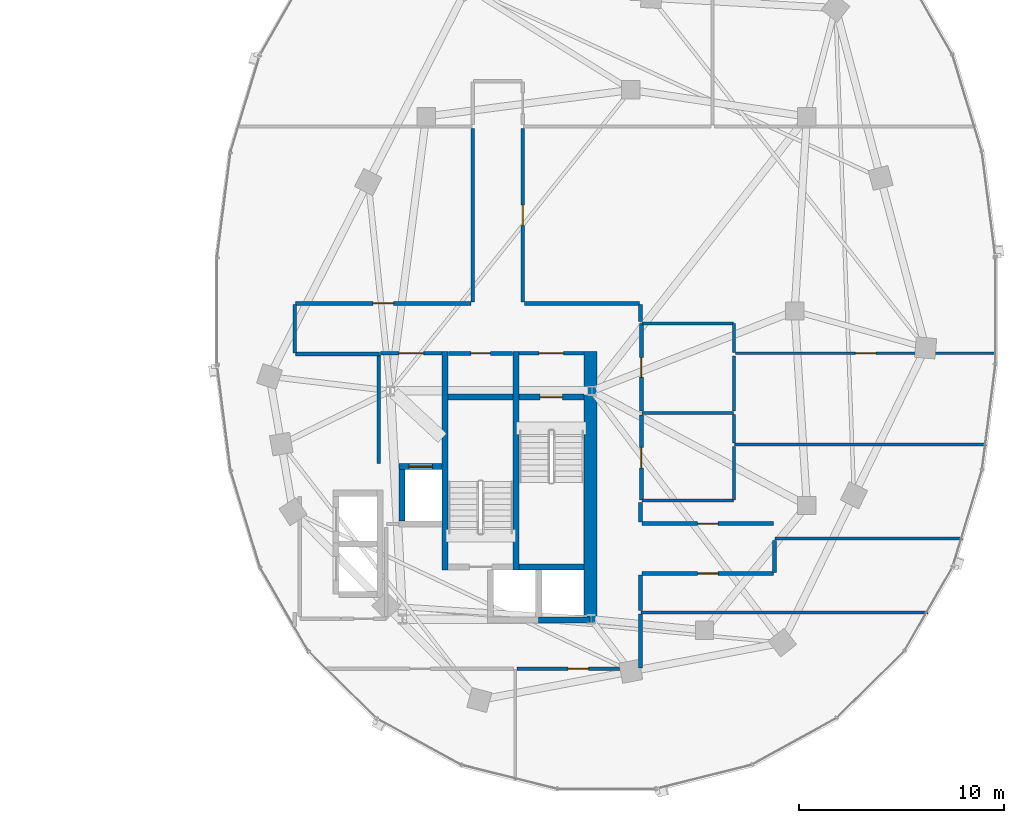
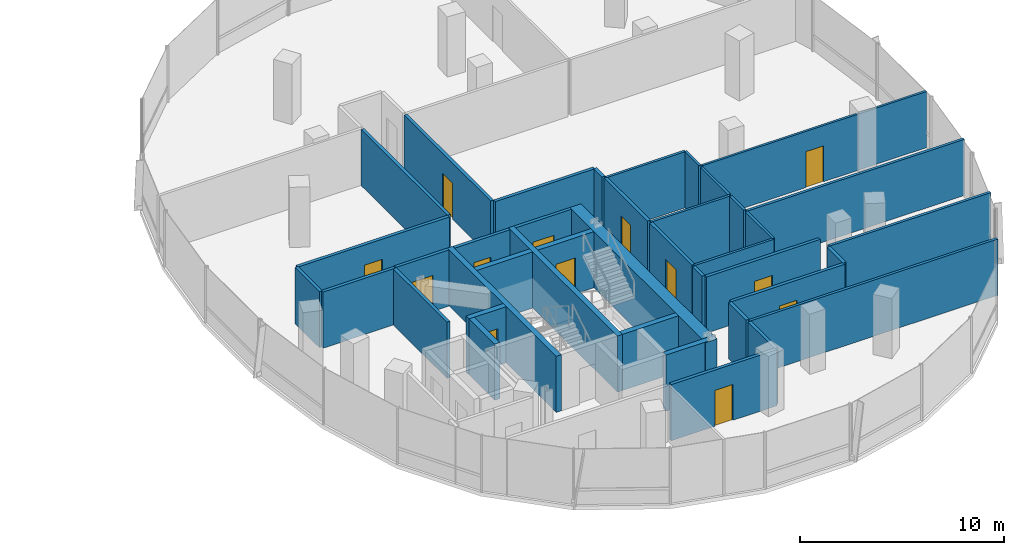
# One storey, part 14 of 22: 40 walls, 13 doors, 13 openings.
"""IFC4 building model written with IfcOpenShell, lengths in metres."""

from ifc_helpers import new_model, si_unit, direction, frame, frame_2d, origin, place, context, subcontext, project, spatial, rectangle, extrude, material, layer, layer_set, type_object, element, fill, save


model = new_model("IFC4")

# Units and contexts
model_context = context("Model", 3, precision=1e-05, world=origin(), true_north=direction((0.0, 1.0)))
body_context = subcontext(model_context, "Body", "Model", "MODEL_VIEW")
ifc_project = project(units=[si_unit("LENGTHUNIT", "METRE"), si_unit("AREAUNIT", "SQUARE_METRE"), si_unit("VOLUMEUNIT", "CUBIC_METRE"), si_unit("PLANEANGLEUNIT", "RADIAN"), si_unit("MASSUNIT", "GRAM", prefix="KILO"), si_unit("THERMODYNAMICTEMPERATUREUNIT", "KELVIN"), si_unit("POWERUNIT", "WATT")], contexts=[model_context])

# Site, building, storey
site_placement = place(None, origin())
site = spatial("IfcSite", under=ifc_project, at=site_placement, CompositionType="ELEMENT")
building_placement = place(site_placement, origin())
building = spatial("IfcBuilding", under=site, at=building_placement, Name="Cundina Bronze Exchange", CompositionType="ELEMENT")
storey_placement = place(building_placement, frame((0.0, 0.0, 154.800048828125)))
storey = spatial("IfcBuildingStorey", under=building, at=storey_placement, Name="L40", CompositionType="ELEMENT", Elevation=154.800048828125)

# Wall
ifc_material_1 = material(Name="Gypsum Fireboard Partition EI120")
ifc_layer_1 = layer(ifc_material_1, 0.179931640625, Name="Gypsum Fireboard Partition EI120")
ifc_layer_set_1 = layer_set([ifc_layer_1], Name="Gypsum Fireboard Partition EI120")
wall_type_1 = type_object("IfcWallType", Name="WL-COR-180", PredefinedType="PARTITIONING", material=ifc_layer_set_1)
wall_1_placement = place(storey_placement, frame((20.889892578125, -7.449951171875, 0.0), z_axis=(0.0, 0.0, 1.0), x_axis=(0.0, 1.0, 0.0)))
element("IfcWall", 1, at=wall_1_placement, inside=storey, type_object=wall_type_1, Name="L40 E Firefighting Lobby Side Wall", PredefinedType="PARTITIONING", context=body_context, shape_type="SweptSolid", body=[
    extrude(rectangle(XDim=5.300048828125, YDim=0.179931640625, at=frame_2d((2.64990234375, 0.0))), origin(), (0.0, 0.0, 1.0), 3.35986328125),
])

# Wall, opening, door
wall_2_placement = place(storey_placement, frame((20.97998046875, -2.06005859375, 0.0), z_axis=(0.0, 0.0, 1.0), x_axis=(1.0, 0.0, 0.0)))
wall_2 = element("IfcWall", 2, at=wall_2_placement, inside=storey, type_object=wall_type_1, Name="L40 E Firefighting Lobby Exit Wall", PredefinedType="PARTITIONING", context=body_context, shape_type="SweptSolid", body=[
    extrude(rectangle(XDim=3.0, YDim=0.179931640625, at=frame_2d((1.5, 0.0))), origin(), (0.0, 0.0, 1.0), 3.35986328125),
])
opening_1_placement = place(wall_2_placement, frame((0.89990234375, 0.0, 0.0)))
opening_1 = element("IfcOpeningElement", 3, at=opening_1_placement, cuts=wall_2, Name="Opening DF-01", PredefinedType="OPENING", context=body_context, shape_type="SweptSolid", body=[
    extrude(rectangle(XDim=1.199951171875, YDim=2.14990234375, at=frame_2d((0.60009765625, 1.074951171875))), frame((0.0, 0.099853515625, 0.0), z_axis=(0.0, -1.0, 0.0), x_axis=(1.0, 0.0, 0.0)), (0.0, 0.0, 1.0), 0.199951171875),
])
ifc_material_2 = material(Name="Steel ASTM A36 Painted", Category="steel")
door_type_1 = type_object("IfcDoorType", Name="DR-FFL-1200", OperationType="NOTDEFINED", PredefinedType="DOOR", material=ifc_material_2)
door_1_placement = place(opening_1_placement, origin())
door_1 = element("IfcDoor", 4, at=door_1_placement, inside=storey, type_object=door_type_1, Name="L40 E Firefighting Lobby Door", OperationType="SINGLE_SWING_LEFT", OverallHeight=2.14990234375, OverallWidth=1.199951171875, PredefinedType="DOOR", context=body_context, shape_type="SweptSolid", body=[
    extrude(rectangle(XDim=1.199951171875, YDim=2.14990234375, at=frame_2d((0.60009765625, 1.074951171875))), frame((0.0, 0.02490234375, 0.0), z_axis=(0.0, -1.0, 0.0), x_axis=(1.0, 0.0, 0.0)), (0.0, 0.0, 1.0), 0.050048828125),
])
fill(opening_1, door_1)

wall_3_placement = place(storey_placement, frame((27.739990234375, -2.06005859375, 0.0), z_axis=(0.0, 0.0, 1.0), x_axis=(1.0, 0.0, 0.0)))
wall_3 = element("IfcWall", 5, at=wall_3_placement, inside=storey, type_object=wall_type_1, Name="L40 E Stair Vestibule Exit Wall", PredefinedType="PARTITIONING", context=body_context, shape_type="SweptSolid", body=[
    extrude(rectangle(XDim=3.159912109375, YDim=0.179931640625, at=frame_2d((1.580078125, 0.0))), origin(), (0.0, 0.0, 1.0), 3.35986328125),
])
opening_2_placement = place(wall_3_placement, frame((0.97998046875, 0.0, 0.0)))
opening_2 = element("IfcOpeningElement", 6, at=opening_2_placement, cuts=wall_3, Name="Opening DF-01", PredefinedType="OPENING", context=body_context, shape_type="SweptSolid", body=[
    extrude(rectangle(XDim=1.199951171875, YDim=2.14990234375, at=frame_2d((0.60009765625, 1.074951171875))), frame((0.0, 0.099853515625, 0.0), z_axis=(0.0, -1.0, 0.0), x_axis=(1.0, 0.0, 0.0)), (0.0, 0.0, 1.0), 0.199951171875),
])
door_2_placement = place(opening_2_placement, origin())
door_2 = element("IfcDoor", 7, at=door_2_placement, inside=storey, type_object=door_type_1, Name="L40 E Stair Vestibule Door", OperationType="SINGLE_SWING_RIGHT", OverallHeight=2.14990234375, OverallWidth=1.199951171875, PredefinedType="DOOR", context=body_context, shape_type="SweptSolid", body=[
    extrude(rectangle(XDim=1.199951171875, YDim=2.14990234375, at=frame_2d((0.60009765625, 1.074951171875))), frame((0.0, 0.02490234375, 0.0), z_axis=(0.0, -1.0, 0.0), x_axis=(1.0, 0.0, 0.0)), (0.0, 0.0, 1.0), 0.050048828125),
])
fill(opening_2, door_2)

wall_4_placement = place(storey_placement, frame((24.300048828125, -2.070068359375, 0.0), z_axis=(0.0, 0.0, 1.0), x_axis=(1.0, 0.0, 0.0)))
wall_4 = element("IfcWall", 8, at=wall_4_placement, inside=storey, type_object=wall_type_1, Name="L40 Interior Partition 048", PredefinedType="PARTITIONING", context=body_context, shape_type="SweptSolid", body=[
    extrude(rectangle(XDim=3.119873046875, YDim=0.179931640625, at=frame_2d((1.56005859375, 0.0))), origin(), (0.0, 0.0, 1.0), 3.35986328125),
])
opening_3_placement = place(wall_4_placement, frame((1.0849609375, 0.0, 0.0)))
opening_3 = element("IfcOpeningElement", 9, at=opening_3_placement, cuts=wall_4, Name="Opening DW-01", PredefinedType="OPENING", context=body_context, shape_type="SweptSolid", body=[
    extrude(rectangle(XDim=0.949951171875, YDim=2.10009765625, at=frame_2d((0.47509765625, 1.050048828125))), frame((0.0, 0.099853515625, 0.0), z_axis=(0.0, -1.0, 0.0), x_axis=(1.0, 0.0, 0.0)), (0.0, 0.0, 1.0), 0.199951171875),
])
ifc_material_3 = material(Name="Solid Andean Oak Timber Grade A", Category="wood")
door_type_2 = type_object("IfcDoorType", Name="DR-WC-950", OperationType="NOTDEFINED", PredefinedType="DOOR", material=ifc_material_3)
door_3_placement = place(opening_3_placement, origin())
door_3 = element("IfcDoor", 10, at=door_3_placement, inside=storey, type_object=door_type_2, Name="L40 Interior Door 048", OperationType="SINGLE_SWING_RIGHT", OverallHeight=2.10009765625, OverallWidth=0.949951171875, PredefinedType="DOOR", context=body_context, shape_type="SweptSolid", body=[
    extrude(rectangle(XDim=0.949951171875, YDim=2.10009765625, at=frame_2d((0.47509765625, 1.050048828125))), frame((0.0, 0.02490234375, 0.0), z_axis=(0.0, -1.0, 0.0), x_axis=(1.0, 0.0, 0.0)), (0.0, 0.0, 1.0), 0.050048828125),
])
fill(opening_3, door_3)

wall_5_placement = place(storey_placement, frame((33.719970703125, -4.8798828125, 0.0), z_axis=(0.0, 0.0, 1.0), x_axis=(0.0, 1.0, 0.0)))
wall_5 = element("IfcWall", 11, at=wall_5_placement, inside=storey, type_object=wall_type_1, Name="L40 Interior Partition 056", PredefinedType="PARTITIONING", context=body_context, shape_type="SweptSolid", body=[
    extrude(rectangle(XDim=4.259765625, YDim=0.179931640625, at=frame_2d((2.1298828125, 0.0))), origin(), (0.0, 0.0, 1.0), 3.35986328125),
])
opening_4_placement = place(wall_5_placement, frame((1.655029296875, 0.0, 0.0)))
opening_4 = element("IfcOpeningElement", 12, at=opening_4_placement, cuts=wall_5, Name="Opening DW-01", PredefinedType="OPENING", context=body_context, shape_type="SweptSolid", body=[
    extrude(rectangle(XDim=0.949951171875, YDim=2.10009765625, at=frame_2d((0.47509765625, 1.050048828125))), frame((0.0, 0.099853515625, 0.0), z_axis=(0.0, -1.0, 0.0), x_axis=(1.0, 0.0, 0.0)), (0.0, 0.0, 1.0), 0.199951171875),
])
door_4_placement = place(opening_4_placement, origin())
door_4 = element("IfcDoor", 13, at=door_4_placement, inside=storey, type_object=door_type_2, Name="L40 Interior Door 056", OperationType="SINGLE_SWING_RIGHT", OverallHeight=2.10009765625, OverallWidth=0.949951171875, PredefinedType="DOOR", context=body_context, shape_type="SweptSolid", body=[
    extrude(rectangle(XDim=0.949951171875, YDim=2.10009765625, at=frame_2d((0.47509765625, 1.050048828125))), frame((0.0, 0.02490234375, 0.0), z_axis=(0.0, -1.0, 0.0), x_axis=(1.0, 0.0, 0.0)), (0.0, 0.0, 1.0), 0.050048828125),
])
fill(opening_4, door_4)

wall_6_placement = place(storey_placement, frame((33.719970703125, -9.239990234375, 0.0), z_axis=(0.0, 0.0, 1.0), x_axis=(0.0, 1.0, 0.0)))
wall_6 = element("IfcWall", 14, at=wall_6_placement, inside=storey, type_object=wall_type_1, Name="L40 Interior Partition 057", PredefinedType="PARTITIONING", context=body_context, shape_type="SweptSolid", body=[
    extrude(rectangle(XDim=4.159912109375, YDim=0.179931640625, at=frame_2d((2.080078125, 0.0))), origin(), (0.0, 0.0, 1.0), 3.35986328125),
])
opening_5_placement = place(wall_6_placement, frame((1.580078125, 0.0, 0.0)))
opening_5 = element("IfcOpeningElement", 15, at=opening_5_placement, cuts=wall_6, Name="Opening DO-01", PredefinedType="OPENING", context=body_context, shape_type="SweptSolid", body=[
    extrude(rectangle(XDim=1.0, YDim=2.14990234375, at=frame_2d((0.5, 1.074951171875))), frame((0.0, 0.099853515625, 0.0), z_axis=(0.0, -1.0, 0.0), x_axis=(1.0, 0.0, 0.0)), (0.0, 0.0, 1.0), 0.199951171875),
])
door_type_3 = type_object("IfcDoorType", Name="DR-OFF-1000", OperationType="NOTDEFINED", PredefinedType="DOOR", material=ifc_material_3)
door_5_placement = place(opening_5_placement, origin())
door_5 = element("IfcDoor", 16, at=door_5_placement, inside=storey, type_object=door_type_3, Name="L40 Interior Door 057", OperationType="SINGLE_SWING_RIGHT", OverallHeight=2.14990234375, OverallWidth=1.0, PredefinedType="DOOR", context=body_context, shape_type="SweptSolid", body=[
    extrude(rectangle(XDim=1.0, YDim=2.14990234375, at=frame_2d((0.5, 1.074951171875))), frame((0.0, 0.02490234375, 0.0), z_axis=(0.0, -1.0, 0.0), x_axis=(1.0, 0.0, 0.0)), (0.0, 0.0, 1.0), 0.050048828125),
])
fill(opening_5, door_5)

wall_7_placement = place(storey_placement, frame((27.64990234375, -17.469970703125, 0.0), z_axis=(0.0, 0.0, 1.0), x_axis=(1.0, 0.0, 0.0)))
wall_7 = element("IfcWall", 17, at=wall_7_placement, inside=storey, type_object=wall_type_1, Name="L40 Interior Partition 066", PredefinedType="PARTITIONING", context=body_context, shape_type="SweptSolid", body=[
    extrude(rectangle(XDim=5.978515625, YDim=0.179931640625, at=frame_2d((2.9892578125, 0.0))), origin(), (0.0, 0.0, 1.0), 3.35986328125),
])
opening_6_placement = place(wall_7_placement, frame((2.4892578125, 0.0, 0.0)))
opening_6 = element("IfcOpeningElement", 18, at=opening_6_placement, cuts=wall_7, Name="Opening DO-01", PredefinedType="OPENING", context=body_context, shape_type="SweptSolid", body=[
    extrude(rectangle(XDim=1.0, YDim=2.14990234375, at=frame_2d((0.5, 1.074951171875))), frame((0.0, 0.099853515625, 0.0), z_axis=(0.0, -1.0, 0.0), x_axis=(1.0, 0.0, 0.0)), (0.0, 0.0, 1.0), 0.199951171875),
])
door_6_placement = place(opening_6_placement, origin())
door_6 = element("IfcDoor", 19, at=door_6_placement, inside=storey, type_object=door_type_3, Name="L40 Interior Door 066", OperationType="SINGLE_SWING_LEFT", OverallHeight=2.14990234375, OverallWidth=1.0, PredefinedType="DOOR", context=body_context, shape_type="SweptSolid", body=[
    extrude(rectangle(XDim=1.0, YDim=2.14990234375, at=frame_2d((0.5, 1.074951171875))), frame((0.0, 0.02490234375, 0.0), z_axis=(0.0, -1.0, 0.0), x_axis=(1.0, 0.0, 0.0)), (0.0, 0.0, 1.0), 0.050048828125),
])
fill(opening_6, door_6)

# Wall
wall_8_placement = place(storey_placement, frame((33.669921875, -17.428466796875, 0.0), z_axis=(0.0, 0.0, 1.0), x_axis=(0.0, 1.0, 0.0)))
element("IfcWall", 20, at=wall_8_placement, inside=storey, type_object=wall_type_1, Name="L40 Interior Partition 067", PredefinedType="PARTITIONING", context=body_context, shape_type="SweptSolid", body=[
    extrude(rectangle(XDim=2.618408203125, YDim=0.179931640625, at=frame_2d((1.30908203125, 0.0))), origin(), (0.0, 0.0, 1.0), 3.35986328125),
])

# Wall, opening, door
wall_9_placement = place(storey_placement, frame((33.75, -12.820068359375, 0.0), z_axis=(0.0, 0.0, 1.0), x_axis=(1.0, 0.0, 0.0)))
wall_9 = element("IfcWall", 21, at=wall_9_placement, inside=storey, type_object=wall_type_1, Name="L40 Interior Partition 068", PredefinedType="PARTITIONING", context=body_context, shape_type="SweptSolid", body=[
    extrude(rectangle(XDim=6.428466796875, YDim=0.179931640625, at=frame_2d((3.21435546875, 0.0))), origin(), (0.0, 0.0, 1.0), 3.35986328125),
])
opening_7_placement = place(wall_9_placement, frame((2.714111328125, 0.0, 0.0)))
opening_7 = element("IfcOpeningElement", 22, at=opening_7_placement, cuts=wall_9, Name="Opening DO-01", PredefinedType="OPENING", context=body_context, shape_type="SweptSolid", body=[
    extrude(rectangle(XDim=1.0, YDim=2.14990234375, at=frame_2d((0.5, 1.074951171875))), frame((0.0, 0.099853515625, 0.0), z_axis=(0.0, -1.0, 0.0), x_axis=(1.0, 0.0, 0.0)), (0.0, 0.0, 1.0), 0.199951171875),
])
door_7_placement = place(opening_7_placement, origin())
door_7 = element("IfcDoor", 23, at=door_7_placement, inside=storey, type_object=door_type_3, Name="L40 Interior Door 068", OperationType="SINGLE_SWING_LEFT", OverallHeight=2.14990234375, OverallWidth=1.0, PredefinedType="DOOR", context=body_context, shape_type="SweptSolid", body=[
    extrude(rectangle(XDim=1.0, YDim=2.14990234375, at=frame_2d((0.5, 1.074951171875))), frame((0.0, 0.02490234375, 0.0), z_axis=(0.0, -1.0, 0.0), x_axis=(1.0, 0.0, 0.0)), (0.0, 0.0, 1.0), 0.050048828125),
])
fill(opening_7, door_7)

# Walls
wall_10_placement = place(storey_placement, frame((33.669921875, -14.6298828125, 0.0), z_axis=(0.0, 0.0, 1.0), x_axis=(0.0, 1.0, 0.0)))
element("IfcWall", 24, at=wall_10_placement, inside=storey, type_object=wall_type_1, Name="L40 Interior Partition 069", PredefinedType="PARTITIONING", context=body_context, shape_type="SweptSolid", body=[
    extrude(rectangle(XDim=1.72998046875, YDim=0.179931640625, at=frame_2d((0.864990234375, 0.0))), origin(), (0.0, 0.0, 1.0), 3.35986328125),
])
wall_11_placement = place(storey_placement, frame((40.219970703125, -12.778564453125, 0.0), z_axis=(0.0, 0.0, 1.0), x_axis=(0.0, 1.0, 0.0)))
element("IfcWall", 25, at=wall_11_placement, inside=storey, type_object=wall_type_1, Name="L40 Interior Partition 070", PredefinedType="PARTITIONING", context=body_context, shape_type="SweptSolid", body=[
    extrude(rectangle(XDim=1.568603515625, YDim=0.179931640625, at=frame_2d((0.7841796875, 0.0))), origin(), (0.0, 0.0, 1.0), 3.35986328125),
])

# Wall, opening, door
wall_12_placement = place(storey_placement, frame((40.178466796875, -10.3798828125, 0.0), z_axis=(0.0, 0.0, 1.0), x_axis=(-1.0, 0.0, 0.0)))
wall_12 = element("IfcWall", 26, at=wall_12_placement, inside=storey, type_object=wall_type_1, Name="L40 Interior Partition 071", PredefinedType="PARTITIONING", context=body_context, shape_type="SweptSolid", body=[
    extrude(rectangle(XDim=6.428466796875, YDim=0.179931640625, at=frame_2d((3.21435546875, 0.0))), origin(), (0.0, 0.0, 1.0), 3.35986328125),
])
opening_8_placement = place(wall_12_placement, frame((2.714111328125, 0.0, 0.0)))
opening_8 = element("IfcOpeningElement", 27, at=opening_8_placement, cuts=wall_12, Name="Opening DO-01", PredefinedType="OPENING", context=body_context, shape_type="SweptSolid", body=[
    extrude(rectangle(XDim=1.0, YDim=2.14990234375, at=frame_2d((0.5, 1.074951171875))), frame((0.0, 0.099853515625, 0.0), z_axis=(0.0, -1.0, 0.0), x_axis=(1.0, 0.0, 0.0)), (0.0, 0.0, 1.0), 0.199951171875),
])
door_8_placement = place(opening_8_placement, origin())
door_8 = element("IfcDoor", 28, at=door_8_placement, inside=storey, type_object=door_type_3, Name="L40 Interior Door 071", OperationType="SINGLE_SWING_RIGHT", OverallHeight=2.14990234375, OverallWidth=1.0, PredefinedType="DOOR", context=body_context, shape_type="SweptSolid", body=[
    extrude(rectangle(XDim=1.0, YDim=2.14990234375, at=frame_2d((0.5, 1.074951171875))), frame((0.0, 0.02490234375, 0.0), z_axis=(0.0, -1.0, 0.0), x_axis=(1.0, 0.0, 0.0)), (0.0, 0.0, 1.0), 0.050048828125),
])
fill(opening_8, door_8)

# Wall
wall_13_placement = place(storey_placement, frame((33.669921875, -10.300048828125, 0.0), z_axis=(0.0, 0.0, 1.0), x_axis=(0.0, 1.0, 0.0)))
element("IfcWall", 29, at=wall_13_placement, inside=storey, type_object=wall_type_1, Name="L40 Interior Partition 072", PredefinedType="PARTITIONING", context=body_context, shape_type="SweptSolid", body=[
    extrude(rectangle(XDim=0.94873046875, YDim=0.179931640625, at=frame_2d((0.474365234375, 0.0))), origin(), (0.0, 0.0, 1.0), 3.35986328125),
])

# Wall, opening, door
wall_14_placement = place(storey_placement, frame((25.39990234375, 0.3701171875, 0.0), z_axis=(0.0, 0.0, 1.0), x_axis=(-1.0, 0.0, 0.0)))
wall_14 = element("IfcWall", 30, at=wall_14_placement, inside=storey, type_object=wall_type_1, Name="L40 Interior Partition 073", PredefinedType="PARTITIONING", context=body_context, shape_type="SweptSolid", body=[
    extrude(rectangle(XDim=8.578369140625, YDim=0.179931640625, at=frame_2d((4.2890625, 0.0))), origin(), (0.0, 0.0, 1.0), 3.35986328125),
])
opening_9_placement = place(wall_14_placement, frame((3.789306640625, 0.0, 0.0)))
opening_9 = element("IfcOpeningElement", 31, at=opening_9_placement, cuts=wall_14, Name="Opening DO-01", PredefinedType="OPENING", context=body_context, shape_type="SweptSolid", body=[
    extrude(rectangle(XDim=1.0, YDim=2.14990234375, at=frame_2d((0.5, 1.074951171875))), frame((0.0, 0.099853515625, 0.0), z_axis=(0.0, -1.0, 0.0), x_axis=(1.0, 0.0, 0.0)), (0.0, 0.0, 1.0), 0.199951171875),
])
door_9_placement = place(opening_9_placement, origin())
door_9 = element("IfcDoor", 32, at=door_9_placement, inside=storey, type_object=door_type_3, Name="L40 Interior Door 073", OperationType="SINGLE_SWING_RIGHT", OverallHeight=2.14990234375, OverallWidth=1.0, PredefinedType="DOOR", context=body_context, shape_type="SweptSolid", body=[
    extrude(rectangle(XDim=1.0, YDim=2.14990234375, at=frame_2d((0.5, 1.074951171875))), frame((0.0, 0.02490234375, 0.0), z_axis=(0.0, -1.0, 0.0), x_axis=(1.0, 0.0, 0.0)), (0.0, 0.0, 1.0), 0.050048828125),
])
fill(opening_9, door_9)

# Walls
wall_15_placement = place(storey_placement, frame((25.47998046875, 8.919921875, 0.0), z_axis=(0.0, 0.0, 1.0), x_axis=(0.0, -1.0, 0.0)))
element("IfcWall", 33, at=wall_15_placement, inside=storey, type_object=wall_type_1, Name="L40 Interior Partition 074", PredefinedType="PARTITIONING", context=body_context, shape_type="SweptSolid", body=[
    extrude(rectangle(XDim=8.469970703125, YDim=0.179931640625, at=frame_2d((4.23486328125, 0.0))), origin(), (0.0, 0.0, 1.0), 3.35986328125),
])
wall_16_placement = place(storey_placement, frame((16.821533203125, -2.10009765625, 0.0), z_axis=(0.0, 0.0, 1.0), x_axis=(1.0, 0.0, 0.0)))
element("IfcWall", 34, at=wall_16_placement, inside=storey, type_object=wall_type_1, Name="L40 Interior Partition 075", PredefinedType="PARTITIONING", context=body_context, shape_type="SweptSolid", body=[
    extrude(rectangle(XDim=4.098388671875, YDim=0.179931640625, at=frame_2d((2.04931640625, 0.0))), origin(), (0.0, 0.0, 1.0), 3.35986328125),
])
wall_17_placement = place(storey_placement, frame((16.780029296875, 0.32861328125, 0.0), z_axis=(0.0, 0.0, 1.0), x_axis=(0.0, -1.0, 0.0)))
element("IfcWall", 35, at=wall_17_placement, inside=storey, type_object=wall_type_1, Name="L40 Interior Partition 076", PredefinedType="PARTITIONING", context=body_context, shape_type="SweptSolid", body=[
    extrude(rectangle(XDim=2.38720703125, YDim=0.179931640625, at=frame_2d((1.193603515625, 0.0))), origin(), (0.0, 0.0, 1.0), 3.35986328125),
])

# Wall, opening, door
wall_18_placement = place(storey_placement, frame((27.919921875, 0.449951171875, 0.0), z_axis=(0.0, 0.0, 1.0), x_axis=(0.0, 1.0, 0.0)))
wall_18 = element("IfcWall", 36, at=wall_18_placement, inside=storey, type_object=wall_type_1, Name="L40 Interior Partition 078", PredefinedType="PARTITIONING", context=body_context, shape_type="SweptSolid", body=[
    extrude(rectangle(XDim=8.469970703125, YDim=0.179931640625, at=frame_2d((4.23486328125, 0.0))), origin(), (0.0, 0.0, 1.0), 3.35986328125),
])
opening_10_placement = place(wall_18_placement, frame((3.735107421875, 0.0, 0.0)))
opening_10 = element("IfcOpeningElement", 37, at=opening_10_placement, cuts=wall_18, Name="Opening DO-01", PredefinedType="OPENING", context=body_context, shape_type="SweptSolid", body=[
    extrude(rectangle(XDim=1.0, YDim=2.14990234375, at=frame_2d((0.5, 1.074951171875))), frame((0.0, 0.099853515625, 0.0), z_axis=(0.0, -1.0, 0.0), x_axis=(1.0, 0.0, 0.0)), (0.0, 0.0, 1.0), 0.199951171875),
])
door_10_placement = place(opening_10_placement, origin())
door_10 = element("IfcDoor", 38, at=door_10_placement, inside=storey, type_object=door_type_3, Name="L40 Interior Door 078", OperationType="SINGLE_SWING_RIGHT", OverallHeight=2.14990234375, OverallWidth=1.0, PredefinedType="DOOR", context=body_context, shape_type="SweptSolid", body=[
    extrude(rectangle(XDim=1.0, YDim=2.14990234375, at=frame_2d((0.5, 1.074951171875))), frame((0.0, 0.02490234375, 0.0), z_axis=(0.0, -1.0, 0.0), x_axis=(1.0, 0.0, 0.0)), (0.0, 0.0, 1.0), 0.050048828125),
])
fill(opening_10, door_10)

# Walls
wall_19_placement = place(storey_placement, frame((33.62841796875, 0.3701171875, 0.0), z_axis=(0.0, 0.0, 1.0), x_axis=(-1.0, 0.0, 0.0)))
element("IfcWall", 39, at=wall_19_placement, inside=storey, type_object=wall_type_1, Name="L40 Interior Partition 079", PredefinedType="PARTITIONING", context=body_context, shape_type="SweptSolid", body=[
    extrude(rectangle(XDim=5.62841796875, YDim=0.179931640625, at=frame_2d((2.814208984375, 0.0))), origin(), (0.0, 0.0, 1.0), 3.35986328125),
])
wall_20_placement = place(storey_placement, frame((33.669921875, -0.508544921875, 0.0), z_axis=(0.0, 0.0, 1.0), x_axis=(0.0, 1.0, 0.0)))
element("IfcWall", 40, at=wall_20_placement, inside=storey, type_object=wall_type_1, Name="L40 Interior Partition 080", PredefinedType="PARTITIONING", context=body_context, shape_type="SweptSolid", body=[
    extrude(rectangle(XDim=0.837158203125, YDim=0.179931640625, at=frame_2d((0.41845703125, 0.0))), origin(), (0.0, 0.0, 1.0), 3.35986328125),
])
ifc_material_4 = material(Name="Concrete C50/60", Category="concrete")
ifc_layer_2 = layer(ifc_material_4, 0.64990234375, Name="Concrete C50/60", Category="concrete")
ifc_layer_set_2 = layer_set([ifc_layer_2], Name="Concrete C50/60")
wall_type_2 = type_object("IfcWallType", Name="WL-CORE-650", PredefinedType="SHEAR", material=ifc_layer_set_2)
wall_21_placement = place(storey_placement, frame((31.22509765625, -15.300048828125, 0.0), z_axis=(0.0, 0.0, 1.0), x_axis=(0.0, 1.0, 0.0)))
element("IfcWall", 41, at=wall_21_placement, inside=storey, type_object=wall_type_2, Name="L40 E Primary Core Shear Spine Wall", PredefinedType="SHEAR", context=body_context, shape_type="SweptSolid", body=[
    extrude(rectangle(XDim=13.330078125, YDim=0.64990234375, at=frame_2d((6.6650390625, 0.0))), origin(), (0.0, 0.0, 1.0), 3.35986328125),
])

# Wall, opening, door
ifc_material_5 = material(Name="Gypsum Acoustic Partition EI60")
ifc_layer_3 = layer(ifc_material_5, 0.125, Name="Gypsum Acoustic Partition EI60")
ifc_layer_set_3 = layer_set([ifc_layer_3], Name="Gypsum Acoustic Partition EI60")
wall_type_3 = type_object("IfcWallType", Name="WL-OFF-125", PredefinedType="PARTITIONING", material=ifc_layer_set_3)
wall_22_placement = place(storey_placement, frame((38.320068359375, -2.070068359375, 0.0), z_axis=(0.0, 0.0, 1.0), x_axis=(1.0, 0.0, 0.0)))
wall_22 = element("IfcWall", 42, at=wall_22_placement, inside=storey, type_object=wall_type_3, Name="L40 Interior Partition 084", PredefinedType="PARTITIONING", context=body_context, shape_type="SweptSolid", body=[
    extrude(rectangle(XDim=12.701904296875, YDim=0.125, at=frame_2d((6.35107421875, 0.0))), origin(), (0.0, 0.0, 1.0), 3.35986328125),
])
opening_11_placement = place(wall_22_placement, frame((5.85107421875, 0.0, 0.0)))
opening_11 = element("IfcOpeningElement", 43, at=opening_11_placement, cuts=wall_22, Name="Opening DO-01", PredefinedType="OPENING", context=body_context, shape_type="SweptSolid", body=[
    extrude(rectangle(XDim=1.0, YDim=2.14990234375, at=frame_2d((0.5, 1.074951171875))), frame((0.0, 0.072509765625, 0.0), z_axis=(0.0, -1.0, 0.0), x_axis=(1.0, 0.0, 0.0)), (0.0, 0.0, 1.0), 0.14501953125),
])
door_11_placement = place(opening_11_placement, origin())
door_11 = element("IfcDoor", 44, at=door_11_placement, inside=storey, type_object=door_type_3, Name="L40 Interior Door 084", OperationType="SINGLE_SWING_LEFT", OverallHeight=2.14990234375, OverallWidth=1.0, PredefinedType="DOOR", context=body_context, shape_type="SweptSolid", body=[
    extrude(rectangle(XDim=1.0, YDim=2.14990234375, at=frame_2d((0.5, 1.074951171875))), frame((0.0, 0.02490234375, 0.0), z_axis=(0.0, -1.0, 0.0), x_axis=(1.0, 0.0, 0.0)), (0.0, 0.0, 1.0), 0.050048828125),
])
fill(opening_11, door_11)

# Walls
ifc_layer_4 = layer(ifc_material_4, 0.300048828125, Name="Concrete C50/60", Category="concrete")
ifc_layer_set_4 = layer_set([ifc_layer_4], Name="Concrete C50/60")
wall_type_4 = type_object("IfcWallType", Name="WL-SHFT-300", PredefinedType="SHEAR", material=ifc_layer_set_4)
for number, where, z_axis, x_axis, name in (
    (45, (27.590087890625, -12.64990234375, 0.0), (0.0, 0.0, 1.0), (0.0, 1.0, 0.0), "L40 E Stair Shaft Dividing Shear Wall"),
    (46, (24.1298828125, -12.64990234375, 0.0), (0.0, 0.0, 1.0), (0.0, 1.0, 0.0), "L40 E Stair 2 East Shear Wall"),
):
    element("IfcWall", number, at=place(storey_placement, frame(where, z_axis=z_axis, x_axis=x_axis)), inside=storey, type_object=wall_type_4, Name=name, PredefinedType="SHEAR", context=body_context, shape_type="SweptSolid", body=[
        extrude(rectangle(XDim=10.679931640625, YDim=0.300048828125, at=frame_2d((5.33984375, 0.0))), origin(), (0.0, 0.0, 1.0), 3.35986328125),
    ])

# Wall, opening, door
wall_23_placement = place(storey_placement, frame((27.739990234375, -4.199951171875, 0.0), z_axis=(0.0, 0.0, 1.0), x_axis=(1.0, 0.0, 0.0)))
wall_23 = element("IfcWall", 47, at=wall_23_placement, inside=storey, type_object=wall_type_4, Name="L40 Stair E1 Landing Wall", PredefinedType="SHEAR", context=body_context, shape_type="SweptSolid", body=[
    extrude(rectangle(XDim=3.159912109375, YDim=0.300048828125, at=frame_2d((1.580078125, 0.0))), origin(), (0.0, 0.0, 1.0), 3.35986328125),
])
opening_12_placement = place(wall_23_placement, frame((1.030029296875, 0.0, 0.0)))
opening_12 = element("IfcOpeningElement", 48, at=opening_12_placement, cuts=wall_23, Name="Opening DS-01", PredefinedType="OPENING", context=body_context, shape_type="SweptSolid", body=[
    extrude(rectangle(XDim=1.10009765625, YDim=2.14990234375, at=frame_2d((0.550048828125, 1.074951171875))), frame((0.0, 0.159912109375, 0.0), z_axis=(0.0, -1.0, 0.0), x_axis=(1.0, 0.0, 0.0)), (0.0, 0.0, 1.0), 0.320068359375),
])
door_type_4 = type_object("IfcDoorType", Name="DR-STR-1100", OperationType="NOTDEFINED", PredefinedType="DOOR", material=ifc_material_2)
door_12_placement = place(opening_12_placement, origin())
door_12 = element("IfcDoor", 49, at=door_12_placement, inside=storey, type_object=door_type_4, Name="L40 Smokeproof Stair E1 Door", OperationType="SINGLE_SWING_LEFT", OverallHeight=2.14990234375, OverallWidth=1.10009765625, PredefinedType="DOOR", context=body_context, shape_type="SweptSolid", body=[
    extrude(rectangle(XDim=1.10009765625, YDim=2.14990234375, at=frame_2d((0.550048828125, 1.074951171875))), frame((0.0, 0.02490234375, 0.0), z_axis=(0.0, -1.0, 0.0), x_axis=(1.0, 0.0, 0.0)), (0.0, 0.0, 1.0), 0.050048828125),
])
fill(opening_12, door_12)

# Walls
for number, where, z_axis, x_axis, name in (
    (50, (27.739990234375, -12.5, 0.0), (0.0, 0.0, 1.0), (1.0, 0.0, 0.0), "L40 Stair E1 Far Shaft Wall"),
    (51, (24.280029296875, -4.199951171875, 0.0), (0.0, 0.0, 1.0), (1.0, 0.0, 0.0), "L40 Stair E2 Far Shaft Wall"),
):
    element("IfcWall", number, at=place(storey_placement, frame(where, z_axis=z_axis, x_axis=x_axis)), inside=storey, type_object=wall_type_4, Name=name, PredefinedType="SHEAR", context=body_context, shape_type="SweptSolid", body=[
        extrude(rectangle(XDim=3.159912109375, YDim=0.300048828125, at=frame_2d((1.580078125, 0.0))), origin(), (0.0, 0.0, 1.0), 3.35986328125),
    ])

# Wall, opening, door
wall_24_placement = place(storey_placement, frame((21.8798828125, -7.60009765625, 0.0), z_axis=(0.0, 0.0, 1.0), x_axis=(1.0, 0.0, 0.0)))
wall_24 = element("IfcWall", 52, at=wall_24_placement, inside=storey, type_object=wall_type_4, Name="L40 FFL-E Hoistway Front Wall", PredefinedType="SHEAR", context=body_context, shape_type="SweptSolid", body=[
    extrude(rectangle(XDim=2.10009765625, YDim=0.300048828125, at=frame_2d((1.050048828125, 0.0))), origin(), (0.0, 0.0, 1.0), 3.35986328125),
])
opening_13_placement = place(wall_24_placement, frame((0.47509765625, 0.0, 0.0)))
opening_13 = element("IfcOpeningElement", 53, at=opening_13_placement, cuts=wall_24, Name="Opening LD-01", PredefinedType="OPENING", context=body_context, shape_type="SweptSolid", body=[
    extrude(rectangle(XDim=1.14990234375, YDim=2.199951171875, at=frame_2d((0.574951171875, 1.10009765625))), frame((0.0, 0.159912109375, 0.0), z_axis=(0.0, -1.0, 0.0), x_axis=(1.0, 0.0, 0.0)), (0.0, 0.0, 1.0), 0.320068359375),
])
door_type_5 = type_object("IfcDoorType", Name="DR-LND-1150", OperationType="NOTDEFINED", PredefinedType="TRAPDOOR", material=ifc_material_2)
door_13_placement = place(opening_13_placement, origin())
door_13 = element("IfcDoor", 54, at=door_13_placement, inside=storey, type_object=door_type_5, Name="L40 FFL-E Sliding Landing Door", OperationType="SLIDING_TO_LEFT", OverallHeight=2.199951171875, OverallWidth=1.14990234375, PredefinedType="TRAPDOOR", context=body_context, shape_type="SweptSolid", body=[
    extrude(rectangle(XDim=1.14990234375, YDim=2.199951171875, at=frame_2d((0.574951171875, 1.10009765625))), frame((0.0, 0.02490234375, 0.0), z_axis=(0.0, -1.0, 0.0), x_axis=(1.0, 0.0, 0.0)), (0.0, 0.0, 1.0), 0.050048828125),
])
fill(opening_13, door_13)

# Walls
for number, where, z_axis, x_axis, name in (
    (55, (22.030029296875, -10.25, 0.0), (0.0, 0.0, 1.0), (0.0, 1.0, 0.0), "L40 FFL-E Hoistway Side Wall"),
    (56, (28.699951171875, -15.10009765625, 0.0), (0.0, 0.0, 1.0), (1.0, 0.0, 0.0), "L40 PH-E1 Hoistway Front Wall"),
):
    element("IfcWall", number, at=place(storey_placement, frame(where, z_axis=z_axis, x_axis=x_axis)), inside=storey, type_object=wall_type_4, Name=name, PredefinedType="SHEAR", context=body_context, shape_type="SweptSolid", body=[
        extrude(rectangle(XDim=2.5, YDim=0.300048828125, at=frame_2d((1.25, 0.0))), origin(), (0.0, 0.0, 1.0), 3.35986328125),
    ])
ifc_layer_5 = layer(ifc_material_5, 0.14990234375, Name="Gypsum Acoustic Partition EI60")
ifc_layer_set_5 = layer_set([ifc_layer_5], Name="Gypsum Acoustic Partition EI60")
wall_type_5 = type_object("IfcWallType", Name="WL-TEN-150", PredefinedType="PARTITIONING", material=ifc_layer_set_5)
wall_25_placement = place(storey_placement, frame((38.27001953125, -6.52001953125, 0.0), z_axis=(0.0, 0.0, 1.0), x_axis=(1.0, 0.0, 0.0)))
element("IfcWall", 57, at=wall_25_placement, inside=storey, type_object=wall_type_5, Name="L40 Interior Partition 061", PredefinedType="PARTITIONING", context=body_context, shape_type="SweptSolid", body=[
    extrude(rectangle(XDim=12.307373046875, YDim=0.14990234375, at=frame_2d((6.15380859375, 0.0))), origin(), (0.0, 0.0, 1.0), 3.35986328125),
])
wall_26_placement = place(storey_placement, frame((40.25, -11.1201171875, 0.0), z_axis=(0.0, 0.0, 1.0), x_axis=(1.0, 0.0, 0.0)))
element("IfcWall", 58, at=wall_26_placement, inside=storey, type_object=wall_type_5, Name="L40 Interior Partition 062", PredefinedType="PARTITIONING", context=body_context, shape_type="SweptSolid", body=[
    extrude(rectangle(XDim=9.156005859375, YDim=0.14990234375, at=frame_2d((4.578125, 0.0))), origin(), (0.0, 0.0, 1.0), 3.35986328125),
])
wall_27_placement = place(storey_placement, frame((33.699951171875, -14.719970703125, 0.0), z_axis=(0.0, 0.0, 1.0), x_axis=(1.0, 0.0, 0.0)))
element("IfcWall", 59, at=wall_27_placement, inside=storey, type_object=wall_type_5, Name="L40 Interior Partition 063", PredefinedType="PARTITIONING", context=body_context, shape_type="SweptSolid", body=[
    extrude(rectangle(XDim=14.02294921875, YDim=0.14990234375, at=frame_2d((7.011474609375, 0.0))), origin(), (0.0, 0.0, 1.0), 3.35986328125),
])
ifc_material_6 = material(Name="Moisture-Resistant Masonry Block Grade M15", Category="masonry")
ifc_layer_6 = layer(ifc_material_6, 0.139892578125, Name="Moisture-Resistant Masonry Block Grade M15", Category="masonry")
ifc_layer_set_6 = layer_set([ifc_layer_6], Name="Moisture-Resistant Masonry Block Grade M15")
wall_type_6 = type_object("IfcWallType", Name="WL-WET-140", PredefinedType="PARTITIONING", material=ifc_layer_set_6)
wall_28_placement = place(storey_placement, frame((38.239990234375, -9.239990234375, 0.0), z_axis=(0.0, 0.0, 1.0), x_axis=(0.0, 1.0, 0.0)))
element("IfcWall", 60, at=wall_28_placement, inside=storey, type_object=wall_type_6, Name="L40 Interior Partition 049", PredefinedType="PARTITIONING", context=body_context, shape_type="SweptSolid", body=[
    extrude(rectangle(XDim=2.635009765625, YDim=0.139892578125, at=frame_2d((1.3173828125, 0.0))), origin(), (0.0, 0.0, 1.0), 3.35986328125),
])
wall_29_placement = place(storey_placement, frame((38.239990234375, -6.43505859375, 0.0), z_axis=(0.0, 0.0, 1.0), x_axis=(0.0, 1.0, 0.0)))
element("IfcWall", 61, at=wall_29_placement, inside=storey, type_object=wall_type_6, Name="L40 Interior Partition 050", PredefinedType="PARTITIONING", context=body_context, shape_type="SweptSolid", body=[
    extrude(rectangle(XDim=1.3701171875, YDim=0.139892578125, at=frame_2d((0.68505859375, 0.0))), origin(), (0.0, 0.0, 1.0), 3.35986328125),
])
wall_30_placement = place(storey_placement, frame((38.239990234375, -4.89501953125, 0.0), z_axis=(0.0, 0.0, 1.0), x_axis=(0.0, 1.0, 0.0)))
element("IfcWall", 62, at=wall_30_placement, inside=storey, type_object=wall_type_6, Name="L40 Interior Partition 051", PredefinedType="PARTITIONING", context=body_context, shape_type="SweptSolid", body=[
    extrude(rectangle(XDim=2.68994140625, YDim=0.139892578125, at=frame_2d((1.344970703125, 0.0))), origin(), (0.0, 0.0, 1.0), 3.35986328125),
])
wall_31_placement = place(storey_placement, frame((38.239990234375, -2.034912109375, 0.0), z_axis=(0.0, 0.0, 1.0), x_axis=(0.0, 1.0, 0.0)))
element("IfcWall", 63, at=wall_31_placement, inside=storey, type_object=wall_type_6, Name="L40 Interior Partition 052", PredefinedType="PARTITIONING", context=body_context, shape_type="SweptSolid", body=[
    extrude(rectangle(XDim=1.414794921875, YDim=0.139892578125, at=frame_2d((0.70751953125, 0.0))), origin(), (0.0, 0.0, 1.0), 3.35986328125),
])
for number, where, z_axis, x_axis, name in (
    (64, (33.739990234375, -0.60009765625, 0.0), (0.0, 0.0, 1.0), (1.0, 0.0, 0.0), "L40 Interior Partition 053"),
    (65, (33.739990234375, -4.97998046875, 0.0), (0.0, 0.0, 1.0), (1.0, 0.0, 0.0), "L40 Interior Partition 054"),
    (66, (33.739990234375, -9.260009765625, 0.0), (0.0, 0.0, 1.0), (1.0, 0.0, 0.0), "L40 Interior Partition 055"),
):
    element("IfcWall", number, at=place(storey_placement, frame(where, z_axis=z_axis, x_axis=x_axis)), inside=storey, type_object=wall_type_6, Name=name, PredefinedType="PARTITIONING", context=body_context, shape_type="SweptSolid", body=[
        extrude(rectangle(XDim=4.47998046875, YDim=0.139892578125, at=frame_2d((2.239990234375, 0.0))), origin(), (0.0, 0.0, 1.0), 3.35986328125),
    ])

save(model, "model.ifc")
